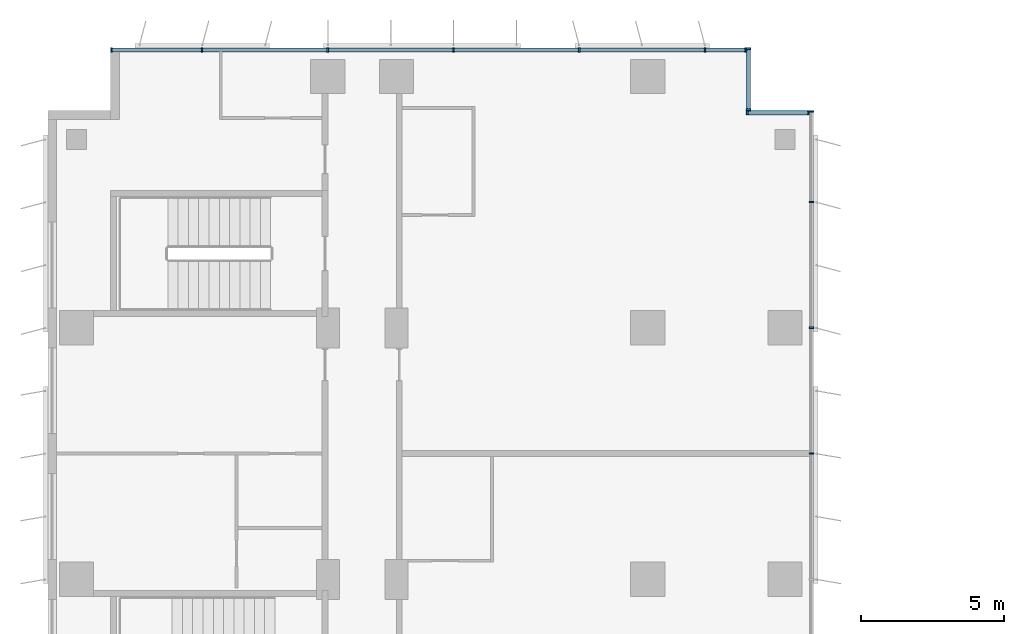
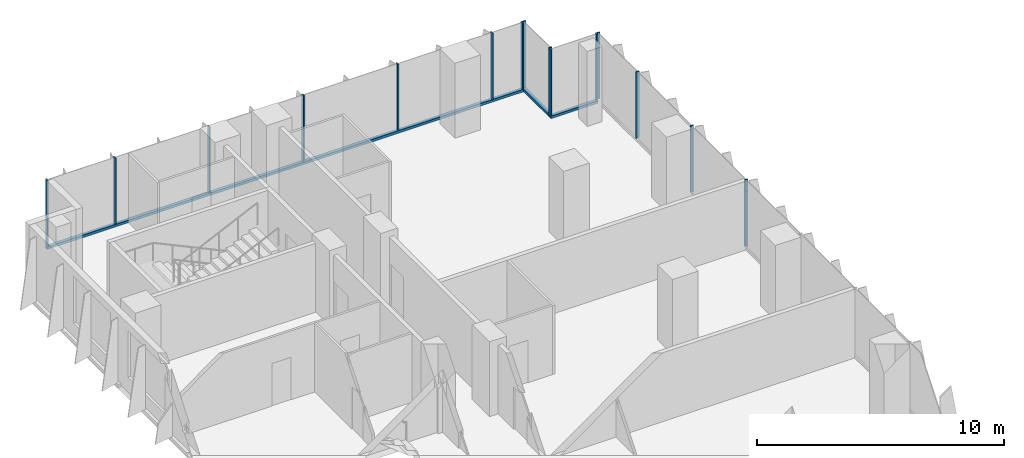
# One storey, part 9 of 22: 18 members, 4 elements without a shape of their own.
"""IFC4 building model written with IfcOpenShell, lengths in metres."""

from ifc_helpers import new_model, si_unit, direction, frame, origin, origin_2d, place, context, subcontext, project, spatial, rectangle, extrude, source, transform, mapped, material, material_profile, profile_set, type_object, element, aggregate, save


model = new_model("IFC4")

# Units and contexts
model_context = context("Model", 3, precision=1e-05, world=origin(), true_north=direction((0.0, 1.0)))
body_context = subcontext(model_context, "Body", "Model", "MODEL_VIEW")
ifc_project = project(units=[si_unit("LENGTHUNIT", "METRE"), si_unit("AREAUNIT", "SQUARE_METRE"), si_unit("VOLUMEUNIT", "CUBIC_METRE"), si_unit("PLANEANGLEUNIT", "RADIAN"), si_unit("MASSUNIT", "GRAM", prefix="KILO")], contexts=[model_context])

# Site, building, storey
site_placement = place(None, origin())
site = spatial("IfcSite", under=ifc_project, at=site_placement, CompositionType="ELEMENT")
building_placement = place(site_placement, origin())
building = spatial("IfcBuilding", under=site, at=building_placement, Name="Kemantara Hotel Tower", CompositionType="ELEMENT")
storey_placement = place(building_placement, frame((0.0, 0.0, 145.699951171875)))
storey = spatial("IfcBuildingStorey", under=building, at=storey_placement, Name="L35", CompositionType="ELEMENT", Elevation=145.699951171875)

# Curtain wall, member
ifc_material_1 = material(Name="Low-E tinted double insulated glass 36 mm", Category="glass")
curtain_wall_type = type_object("IfcCurtainWallType", Name="TOWER CURTAIN WALL, FRONT FACES", PredefinedType="USERDEFINED", material=ifc_material_1)
curtain_wall_1_placement = place(storey_placement, origin())
curtain_wall_1 = element("IfcCurtainWall", 1, at=curtain_wall_1_placement, inside=storey, type_object=curtain_wall_type, Name="CW4 L35 T2-R01-1", ObjectType="TOWER CURTAIN WALL, FRONT FACES", PredefinedType="USERDEFINED")
ifc_material_2 = material(Name="Aluminium 6063-T6 bronze anodised", Category="aluminium")
ifc_material_profile_1 = material_profile(ifc_material_2, rectangle(XDim=0.14990234375, YDim=0.1201171875, at=origin_2d()), Name="TOWER CURTAIN WALL, FRONT FACES TRANSOM")
ifc_profile_set_1 = profile_set([ifc_material_profile_1], Name="Aluminium 6063-T6 bronze anodised")
member_type_1 = type_object("IfcMemberType", Name="TOWER CURTAIN WALL, FRONT FACES TRANSOM", PredefinedType="USERDEFINED", material=ifc_profile_set_1)
member_1_placement = place(storey_placement, frame((24.449951171875, 81.125, 0.06005859375), z_axis=(-1.0, 0.0, 0.0), x_axis=(0.0, -1.0, 0.0)))
member_1 = element("IfcMember", 2, at=member_1_placement, type_object=member_type_1, Name="CW4 sill transom T2-R01-1", ObjectType="TRANSOM", PredefinedType="USERDEFINED", context=body_context, shape_type="SweptSolid", body=[
    extrude(rectangle(XDim=0.14990234375, YDim=0.1201171875, at=origin_2d()), origin(), (0.0, 0.0, 1.0), 22.25),
])

curtain_wall_2_placement = place(storey_placement, origin())
curtain_wall_2 = element("IfcCurtainWall", 3, at=curtain_wall_2_placement, inside=storey, type_object=curtain_wall_type, Name="CW4 L35 T2-R00-1", ObjectType="TOWER CURTAIN WALL, FRONT FACES", PredefinedType="USERDEFINED")
member_2_placement = place(storey_placement, frame((24.52490234375, 79.0, 0.06005859375), z_axis=(0.0, 1.0, 0.0), x_axis=(-1.0, 0.0, 0.0)))
member_2 = element("IfcMember", 4, at=member_2_placement, type_object=member_type_1, Name="CW4 sill transom T2-R00-1", ObjectType="TRANSOM", PredefinedType="USERDEFINED", context=body_context, shape_type="SweptSolid", body=[
    extrude(rectangle(XDim=0.14990234375, YDim=0.1201171875, at=origin_2d()), origin(), (0.0, 0.0, 1.0), 2.199951171875),
])

curtain_wall_3_placement = place(storey_placement, origin())
curtain_wall_3 = element("IfcCurtainWall", 5, at=curtain_wall_3_placement, inside=storey, type_object=curtain_wall_type, Name="CW4 L35 T2-R15-1", ObjectType="TOWER CURTAIN WALL, FRONT FACES", PredefinedType="USERDEFINED")
member_3_placement = place(storey_placement, frame((26.64990234375, 78.925048828125, 0.06005859375), z_axis=(-1.0, 0.0, 0.0), x_axis=(0.0, -1.0, 0.0)))
member_3 = element("IfcMember", 6, at=member_3_placement, type_object=member_type_1, Name="CW4 sill transom T2-R15-1", ObjectType="TRANSOM", PredefinedType="USERDEFINED", context=body_context, shape_type="SweptSolid", body=[
    extrude(rectangle(XDim=0.14990234375, YDim=0.1201171875, at=origin_2d()), origin(), (0.0, 0.0, 1.0), 2.199951171875),
])

# Member
ifc_material_profile_2 = material_profile(ifc_material_2, rectangle(XDim=0.14990234375, YDim=0.06005859375, at=origin_2d()), Name="TOWER CURTAIN WALL, FRONT FACES MULLION")
ifc_profile_set_2 = profile_set([ifc_material_profile_2], Name="Aluminium 6063-T6 bronze anodised")
member_type_2 = type_object("IfcMemberType", Name="TOWER CURTAIN WALL, FRONT FACES MULLION", PredefinedType="MULLION", material=ifc_profile_set_2)
shared_shape = source(origin(), body_context, "Body", "SweptSolid", [
    extrude(rectangle(XDim=0.14990234375, YDim=0.06005859375, at=origin_2d()), origin(), (0.0, 0.0, 1.0), 3.280029296875),
])
member_4_placement = place(storey_placement, frame((24.419921875, 81.125, 0.1201171875), z_axis=(0.0, 0.0, 1.0), x_axis=(0.0, -1.0, 0.0)))
member_4 = element("IfcMember", 7, at=member_4_placement, type_object=member_type_2, Name="CW4 mullion T2-R01-1.1", PredefinedType="MULLION", context=body_context, shape_type="MappedRepresentation", body=[
    mapped(shared_shape, transform((0.0, 0.0, 0.0))),
])

member_5_placement = place(storey_placement, frame((23.0, 81.125, 0.1201171875), z_axis=(0.0, 0.0, 1.0), x_axis=(0.0, -1.0, 0.0)))
member_5 = element("IfcMember", 8, at=member_5_placement, type_object=member_type_2, Name="CW4 mullion T2-R01-1.2", PredefinedType="MULLION", context=body_context, shape_type="MappedRepresentation", body=[
    mapped(shared_shape, transform((0.0, 0.0, 0.0))),
])

member_6_placement = place(storey_placement, frame((18.60009765625, 81.125, 0.1201171875), z_axis=(0.0, 0.0, 1.0), x_axis=(0.0, -1.0, 0.0)))
member_6 = element("IfcMember", 9, at=member_6_placement, type_object=member_type_2, Name="CW4 mullion T2-R01-1.3", PredefinedType="MULLION", context=body_context, shape_type="MappedRepresentation", body=[
    mapped(shared_shape, transform((0.0, 0.0, 0.0))),
])

member_7_placement = place(storey_placement, frame((14.199951171875, 81.125, 0.1201171875), z_axis=(0.0, 0.0, 1.0), x_axis=(0.0, -1.0, 0.0)))
member_7 = element("IfcMember", 10, at=member_7_placement, type_object=member_type_2, Name="CW4 mullion T2-R01-1.4", PredefinedType="MULLION", context=body_context, shape_type="MappedRepresentation", body=[
    mapped(shared_shape, transform((0.0, 0.0, 0.0))),
])

member_8_placement = place(storey_placement, frame((9.800048828125, 81.125, 0.1201171875), z_axis=(0.0, 0.0, 1.0), x_axis=(0.0, -1.0, 0.0)))
member_8 = element("IfcMember", 11, at=member_8_placement, type_object=member_type_2, Name="CW4 mullion T2-R01-1.5", PredefinedType="MULLION", context=body_context, shape_type="MappedRepresentation", body=[
    mapped(shared_shape, transform((0.0, 0.0, 0.0))),
])

member_9_placement = place(storey_placement, frame((5.39990234375, 81.125, 0.1201171875), z_axis=(0.0, 0.0, 1.0), x_axis=(0.0, -1.0, 0.0)))
member_9 = element("IfcMember", 12, at=member_9_placement, type_object=member_type_2, Name="CW4 mullion T2-R01-1.6", PredefinedType="MULLION", context=body_context, shape_type="MappedRepresentation", body=[
    mapped(shared_shape, transform((0.0, 0.0, 0.0))),
])

member_10_placement = place(storey_placement, frame((2.22998046875, 81.125, 0.1201171875), z_axis=(0.0, 0.0, 1.0), x_axis=(0.0, -1.0, 0.0)))
member_10 = element("IfcMember", 13, at=member_10_placement, type_object=member_type_2, Name="CW4 mullion T2-R01-1.7", PredefinedType="MULLION", context=body_context, shape_type="MappedRepresentation", body=[
    mapped(shared_shape, transform((0.0, 0.0, 0.0))),
])

aggregate(curtain_wall_1, [member_1, member_4, member_5, member_6, member_7, member_8, member_9, member_10])

# Curtain wall, members
curtain_wall_4_placement = place(storey_placement, origin())
curtain_wall_4 = element("IfcCurtainWall", 14, at=curtain_wall_4_placement, inside=storey, type_object=curtain_wall_type, Name="CW4 L35 T2-R14-1", ObjectType="TOWER CURTAIN WALL, FRONT FACES", PredefinedType="USERDEFINED")
member_11_placement = place(storey_placement, frame((26.72509765625, 67.0, 0.1201171875), z_axis=(0.0, 0.0, 1.0), x_axis=(-1.0, 0.0, 0.0)))
member_11 = element("IfcMember", 15, at=member_11_placement, type_object=member_type_2, Name="CW4 mullion T2-R14-1.12", PredefinedType="MULLION", context=body_context, shape_type="MappedRepresentation", body=[
    mapped(shared_shape, transform((0.0, 0.0, 0.0))),
])
member_12_placement = place(storey_placement, frame((26.72509765625, 71.39990234375, 0.1201171875), z_axis=(0.0, 0.0, 1.0), x_axis=(-1.0, 0.0, 0.0)))
member_12 = element("IfcMember", 16, at=member_12_placement, type_object=member_type_2, Name="CW4 mullion T2-R14-1.13", PredefinedType="MULLION", context=body_context, shape_type="MappedRepresentation", body=[
    mapped(shared_shape, transform((0.0, 0.0, 0.0))),
])
member_13_placement = place(storey_placement, frame((26.72509765625, 75.800048828125, 0.1201171875), z_axis=(0.0, 0.0, 1.0), x_axis=(-1.0, 0.0, 0.0)))
member_13 = element("IfcMember", 17, at=member_13_placement, type_object=member_type_2, Name="CW4 mullion T2-R14-1.14", PredefinedType="MULLION", context=body_context, shape_type="MappedRepresentation", body=[
    mapped(shared_shape, transform((0.0, 0.0, 0.0))),
])
member_14_placement = place(storey_placement, frame((26.72509765625, 78.969970703125, 0.1201171875), z_axis=(0.0, 0.0, 1.0), x_axis=(-1.0, 0.0, 0.0)))
member_14 = element("IfcMember", 18, at=member_14_placement, type_object=member_type_2, Name="CW4 mullion T2-R14-1.15", PredefinedType="MULLION", context=body_context, shape_type="MappedRepresentation", body=[
    mapped(shared_shape, transform((0.0, 0.0, 0.0))),
])
aggregate(curtain_wall_4, [member_11, member_12, member_13, member_14])

# Member
member_15_placement = place(storey_placement, frame((24.52490234375, 79.030029296875, 0.1201171875), z_axis=(0.0, 0.0, 1.0), x_axis=(-1.0, 0.0, 0.0)))
member_15 = element("IfcMember", 19, at=member_15_placement, type_object=member_type_2, Name="CW4 mullion T2-R00-1.1", PredefinedType="MULLION", context=body_context, shape_type="MappedRepresentation", body=[
    mapped(shared_shape, transform((0.0, 0.0, 0.0))),
])

member_16_placement = place(storey_placement, frame((24.52490234375, 81.169921875, 0.1201171875), z_axis=(0.0, 0.0, 1.0), x_axis=(-1.0, 0.0, 0.0)))
member_16 = element("IfcMember", 20, at=member_16_placement, type_object=member_type_2, Name="CW4 mullion T2-R00-1.2", PredefinedType="MULLION", context=body_context, shape_type="MappedRepresentation", body=[
    mapped(shared_shape, transform((0.0, 0.0, 0.0))),
])

aggregate(curtain_wall_2, [member_2, member_15, member_16])

member_17_placement = place(storey_placement, frame((26.6201171875, 78.925048828125, 0.1201171875), z_axis=(0.0, 0.0, 1.0), x_axis=(0.0, -1.0, 0.0)))
member_17 = element("IfcMember", 21, at=member_17_placement, type_object=member_type_2, Name="CW4 mullion T2-R15-1.1", PredefinedType="MULLION", context=body_context, shape_type="MappedRepresentation", body=[
    mapped(shared_shape, transform((0.0, 0.0, 0.0))),
])

member_18_placement = place(storey_placement, frame((24.47998046875, 78.925048828125, 0.1201171875), z_axis=(0.0, 0.0, 1.0), x_axis=(0.0, -1.0, 0.0)))
member_18 = element("IfcMember", 22, at=member_18_placement, type_object=member_type_2, Name="CW4 mullion T2-R15-1.2", PredefinedType="MULLION", context=body_context, shape_type="MappedRepresentation", body=[
    mapped(shared_shape, transform((0.0, 0.0, 0.0))),
])

aggregate(curtain_wall_3, [member_3, member_17, member_18])

save(model, "model.ifc")
